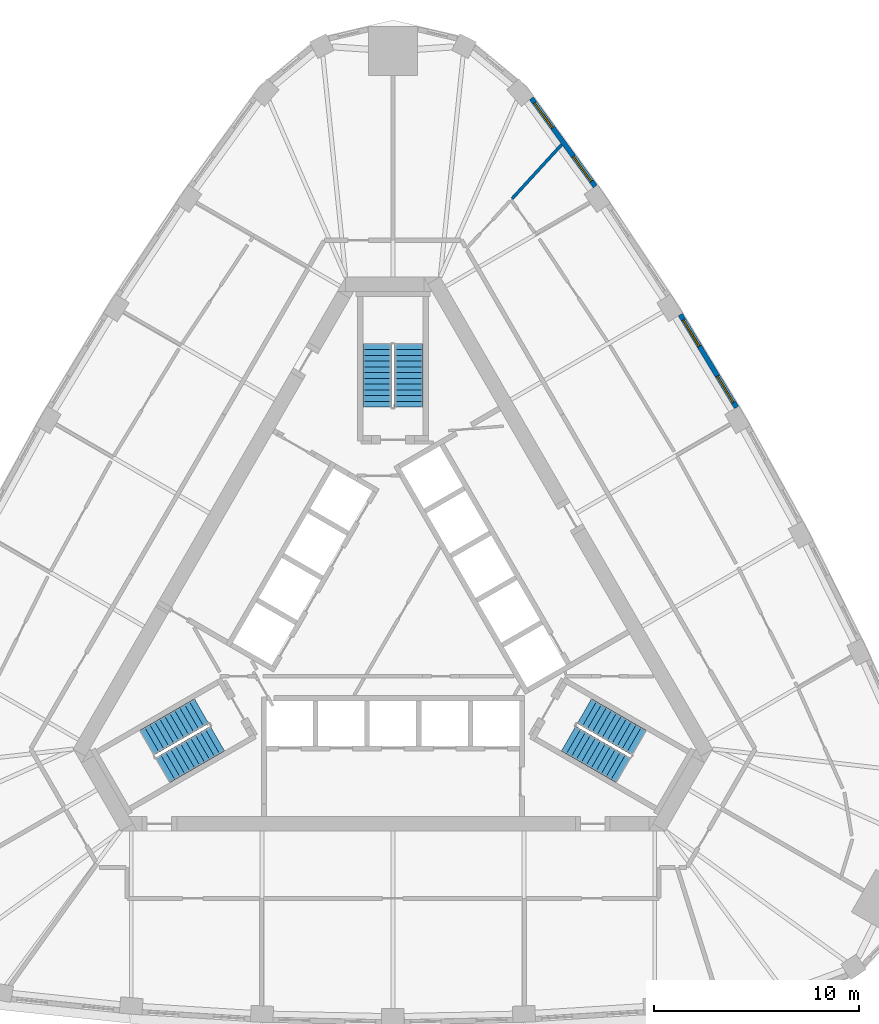
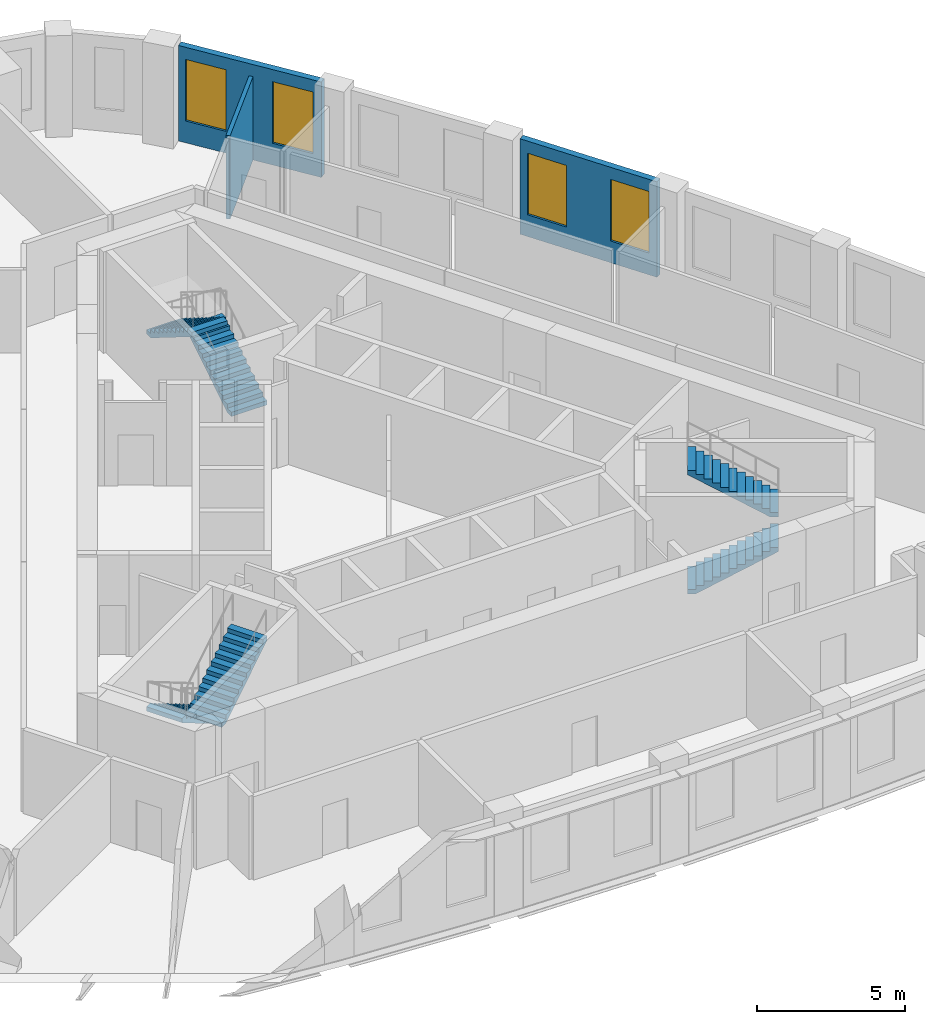
# One storey, part 10 of 11: 6 stair flights, 4 windows, 3 walls, 4 openings, 3 elements without a shape of their own.
"""IFC4 building model written with IfcOpenShell, lengths in metres."""

from ifc_helpers import new_model, si_unit, direction, frame, frame_2d, origin, place, context, subcontext, project, spatial, polyline, rectangle, outline, extrude, material, layer, layer_set, type_object, element, fill, aggregate, save


model = new_model("IFC4")

# Units and contexts
model_context = context("Model", 3, precision=1e-05, world=origin(), true_north=direction((0.0, 1.0)))
body_context = subcontext(model_context, "Body", "Model", "MODEL_VIEW")
ifc_project = project(units=[si_unit("LENGTHUNIT", "METRE"), si_unit("AREAUNIT", "SQUARE_METRE"), si_unit("VOLUMEUNIT", "CUBIC_METRE"), si_unit("PLANEANGLEUNIT", "RADIAN"), si_unit("MASSUNIT", "GRAM", prefix="KILO")], contexts=[model_context])

# Site, building, storey
site_placement = place(None, origin())
site = spatial("IfcSite", under=ifc_project, at=site_placement, CompositionType="ELEMENT")
building_placement = place(site_placement, origin())
building = spatial("IfcBuilding", under=site, at=building_placement, Name="Mestral Congress Tower", CompositionType="ELEMENT")
storey_placement = place(building_placement, frame((0.0, 0.0, 205.800048828125)))
storey = spatial("IfcBuildingStorey", under=building, at=storey_placement, Name="L48", CompositionType="ELEMENT", Elevation=205.800048828125)

# Wall, openings, windows
ifc_material_1 = material(Name="Precast concrete C40/50 with limestone facing", Category="masonry")
ifc_layer_1 = layer(ifc_material_1, 0.239990234375)
ifc_layer_set_1 = layer_set([ifc_layer_1], Name="Precast concrete C40/50 with limestone facing")
wall_type_1 = type_object("IfcWallType", Name="Facade stone wall 240", PredefinedType="SOLIDWALL", material=ifc_layer_set_1)
wall_1_placement = place(storey_placement, frame((16.78173828125, 10.331298828125, 0.0), z_axis=(0.0, 0.0, 1.0), x_axis=(-0.517846166225, 0.855473756538, 0.0)))
wall_1 = element("IfcWall", 1, at=wall_1_placement, inside=storey, type_object=wall_type_1, Name="Facade wall F1-03", PredefinedType="SOLIDWALL", context=body_context, shape_type="SweptSolid", body=[
    extrude(rectangle(XDim=5.298095703125, YDim=0.239990234375, at=frame_2d((2.64892578125, 0.0))), origin(), (0.0, 0.0, 1.0), 3.949951171875),
])
opening_1_placement = place(wall_1_placement, frame((0.29443359375, 0.0, 0.89990234375)))
opening_1 = element("IfcOpeningElement", 2, at=opening_1_placement, cuts=wall_1, Name="Opening W4", PredefinedType="OPENING", context=body_context, shape_type="SweptSolid", body=[
    extrude(rectangle(XDim=1.5, YDim=2.550048828125, at=frame_2d((0.75, 1.27490234375))), frame((0.0, 0.1298828125, 0.0), z_axis=(0.0, -1.0, 0.0), x_axis=(1.0, 0.0, 0.0)), (0.0, 0.0, 1.0), 0.260009765625),
])
opening_2_placement = place(wall_1_placement, frame((3.503662109375, 0.0, 0.89990234375)))
opening_2 = element("IfcOpeningElement", 3, at=opening_2_placement, cuts=wall_1, Name="Opening W4", PredefinedType="OPENING", context=body_context, shape_type="SweptSolid", body=[
    extrude(rectangle(XDim=1.5, YDim=2.550048828125, at=frame_2d((0.75, 1.27490234375))), frame((0.0, 0.1298828125, 0.0), z_axis=(0.0, -1.0, 0.0), x_axis=(1.0, 0.0, 0.0)), (0.0, 0.0, 1.0), 0.260009765625),
])
ifc_material_2 = material(Name="Clear low-emissivity double glazing", Category="glass")
window_type = type_object("IfcWindowType", Name="Facade punched window 1500 x 2550 sill 900", PartitioningType="SINGLE_PANEL", PredefinedType="WINDOW", material=ifc_material_2)
window_1_placement = place(opening_1_placement, origin())
window_1 = element("IfcWindow", 4, at=window_1_placement, inside=storey, type_object=window_type, Name="Window F1-03a", OverallHeight=2.550048828125, OverallWidth=1.5, PartitioningType="SINGLE_PANEL", PredefinedType="WINDOW", context=body_context, shape_type="SweptSolid", body=[
    extrude(rectangle(XDim=1.5, YDim=2.550048828125, at=frame_2d((0.75, 1.27490234375))), frame((0.0, 0.0400390625, 0.0), z_axis=(0.0, -1.0, 0.0), x_axis=(1.0, 0.0, 0.0)), (0.0, 0.0, 1.0), 0.06005859375),
])
fill(opening_1, window_1)
window_2_placement = place(opening_2_placement, origin())
window_2 = element("IfcWindow", 5, at=window_2_placement, inside=storey, type_object=window_type, Name="Window F1-03b", OverallHeight=2.550048828125, OverallWidth=1.5, PartitioningType="SINGLE_PANEL", PredefinedType="WINDOW", context=body_context, shape_type="SweptSolid", body=[
    extrude(rectangle(XDim=1.5, YDim=2.550048828125, at=frame_2d((0.75, 1.27490234375))), frame((0.0, 0.0400390625, 0.0), z_axis=(0.0, -1.0, 0.0), x_axis=(1.0, 0.0, 0.0)), (0.0, 0.0, 1.0), 0.06005859375),
])
fill(opening_2, window_2)

wall_2_placement = place(storey_placement, frame((9.87841796875, 21.13232421875, 0.0), z_axis=(0.0, 0.0, 1.0), x_axis=(-0.586998456641, 0.80958805074, 0.0)))
wall_2 = element("IfcWall", 6, at=wall_2_placement, inside=storey, type_object=wall_type_1, Name="Facade wall F1-05", PredefinedType="SOLIDWALL", context=body_context, shape_type="SweptSolid", body=[
    extrude(rectangle(XDim=5.310791015625, YDim=0.239990234375, at=frame_2d((2.6552734375, 0.0))), origin(), (0.0, 0.0, 1.0), 3.949951171875),
])
opening_3_placement = place(wall_2_placement, frame((0.306396484375, 0.0, 0.89990234375)))
opening_3 = element("IfcOpeningElement", 7, at=opening_3_placement, cuts=wall_2, Name="Opening W4", PredefinedType="OPENING", context=body_context, shape_type="SweptSolid", body=[
    extrude(rectangle(XDim=1.5, YDim=2.550048828125, at=frame_2d((0.75, 1.27490234375))), frame((0.0, 0.1298828125, 0.0), z_axis=(0.0, -1.0, 0.0), x_axis=(1.0, 0.0, 0.0)), (0.0, 0.0, 1.0), 0.260009765625),
])
opening_4_placement = place(wall_2_placement, frame((3.539306640625, 0.0, 0.89990234375)))
opening_4 = element("IfcOpeningElement", 8, at=opening_4_placement, cuts=wall_2, Name="Opening W4", PredefinedType="OPENING", context=body_context, shape_type="SweptSolid", body=[
    extrude(rectangle(XDim=1.5, YDim=2.550048828125, at=frame_2d((0.75, 1.27490234375))), frame((0.0, 0.1298828125, 0.0), z_axis=(0.0, -1.0, 0.0), x_axis=(1.0, 0.0, 0.0)), (0.0, 0.0, 1.0), 0.260009765625),
])
window_3_placement = place(opening_3_placement, origin())
window_3 = element("IfcWindow", 9, at=window_3_placement, inside=storey, type_object=window_type, Name="Window F1-05a", OverallHeight=2.550048828125, OverallWidth=1.5, PartitioningType="SINGLE_PANEL", PredefinedType="WINDOW", context=body_context, shape_type="SweptSolid", body=[
    extrude(rectangle(XDim=1.5, YDim=2.550048828125, at=frame_2d((0.75, 1.27490234375))), frame((0.0, 0.0400390625, 0.0), z_axis=(0.0, -1.0, 0.0), x_axis=(1.0, 0.0, 0.0)), (0.0, 0.0, 1.0), 0.06005859375),
])
fill(opening_3, window_3)
window_4_placement = place(opening_4_placement, origin())
window_4 = element("IfcWindow", 10, at=window_4_placement, inside=storey, type_object=window_type, Name="Window F1-05b", OverallHeight=2.550048828125, OverallWidth=1.5, PartitioningType="SINGLE_PANEL", PredefinedType="WINDOW", context=body_context, shape_type="SweptSolid", body=[
    extrude(rectangle(XDim=1.5, YDim=2.550048828125, at=frame_2d((0.75, 1.27490234375))), frame((0.0, 0.0400390625, 0.0), z_axis=(0.0, -1.0, 0.0), x_axis=(1.0, 0.0, 0.0)), (0.0, 0.0, 1.0), 0.06005859375),
])
fill(opening_4, window_4)

# Wall
ifc_material_3 = material(Name="Plasterboard partition on steel studs", Category="steel")
ifc_layer_2 = layer(ifc_material_3, 0.14990234375)
ifc_layer_set_2 = layer_set([ifc_layer_2], Name="Plasterboard partition on steel studs")
wall_type_2 = type_object("IfcWallType", Name="Office partition 150", PredefinedType="PARTITIONING", material=ifc_layer_set_2)
wall_3_placement = place(storey_placement, frame((5.81591796875, 20.525634765625, 0.0), z_axis=(0.0, 0.0, 1.0), x_axis=(0.675700046709, 0.737176672771, 0.0)))
element("IfcWall", 11, at=wall_3_placement, inside=storey, type_object=wall_type_2, Name="Partition", PredefinedType="PARTITIONING", context=body_context, shape_type="SweptSolid", body=[
    extrude(rectangle(XDim=3.597900390625, YDim=0.14990234375, at=frame_2d((1.798828125, 0.0))), origin(), (0.0, 0.0, 1.0), 3.449951171875),
])

# Stair, stair flights
ifc_material_4 = material(Name="Concrete C60/75", Category="concrete")
stair_type = type_object("IfcStairType", Name="Exit stair 1400", PredefinedType="HALF_TURN_STAIR", material=ifc_material_4)
placement = place(storey_placement, origin())
stair_1 = element("IfcStair", 12, at=placement, inside=storey, type_object=stair_type, Name="L48 ST1", PredefinedType="HALF_TURN_STAIR")
stair_flight_type = type_object("IfcStairFlightType", Name="Exit stair flight 1400", PredefinedType="STRAIGHT", material=ifc_material_4)
stair_flight_1_placement = place(storey_placement, frame((8.575927734375, -5.84619140625, 0.0), z_axis=(0.0, 0.0, 1.0), x_axis=(0.866025403784, -0.5, 0.0)))
stair_flight_1 = element("IfcStairFlight", 13, at=stair_flight_1_placement, type_object=stair_flight_type, Name="ST1 flight 1", NumberOfRisers=12, NumberOfTreads=11, PredefinedType="STRAIGHT", RiserHeight=0.175, TreadLength=0.28, context=body_context, shape_type="SweptSolid", body=[
    extrude(outline(polyline([(0.0, 0.0), (0.0, 0.175048828125), (0.280029296875, 0.175048828125), (0.280029296875, 0.35009765625), (0.56005859375, 0.35009765625), (0.56005859375, 0.52490234375), (0.840087890625, 0.52490234375), (0.840087890625, 0.699951171875), (1.1201171875, 0.699951171875), (1.1201171875, 0.875), (1.39990234375, 0.875), (1.39990234375, 1.050048828125), (1.679931640625, 1.050048828125), (1.679931640625, 1.22509765625), (1.9599609375, 1.22509765625), (1.9599609375, 1.39990234375), (2.239990234375, 1.39990234375), (2.239990234375, 1.574951171875), (2.52001953125, 1.574951171875), (2.52001953125, 1.75), (2.800048828125, 1.75), (2.800048828125, 1.925048828125), (3.080078125, 1.925048828125), (3.080078125, 2.10009765625), (3.080078125, 1.748291015625), (0.28271484375, 0.0), (0.0, 0.0)])), frame((0.0, 0.699951171875, 0.0), z_axis=(0.0, -1.0, 0.0), x_axis=(1.0, 0.0, 0.0)), (0.0, 0.0, 1.0), 1.39990234375),
])
stair_flight_2_placement = place(storey_placement, frame((12.018310546875, -6.0439453125, 2.099853515625), z_axis=(0.0, 0.0, 1.0), x_axis=(-0.866025403784, 0.5, 0.0)))
stair_flight_2 = element("IfcStairFlight", 14, at=stair_flight_2_placement, type_object=stair_flight_type, Name="ST1 flight 2", NumberOfRisers=12, NumberOfTreads=11, PredefinedType="STRAIGHT", RiserHeight=0.175, TreadLength=0.28, context=body_context, shape_type="SweptSolid", body=[
    extrude(outline(polyline([(0.0, 0.0), (0.0, 0.175048828125), (0.280029296875, 0.175048828125), (0.280029296875, 0.35009765625), (0.56005859375, 0.35009765625), (0.56005859375, 0.52490234375), (0.840087890625, 0.52490234375), (0.840087890625, 0.699951171875), (1.1201171875, 0.699951171875), (1.1201171875, 0.875), (1.39990234375, 0.875), (1.39990234375, 1.050048828125), (1.679931640625, 1.050048828125), (1.679931640625, 1.22509765625), (1.9599609375, 1.22509765625), (1.9599609375, 1.39990234375), (2.239990234375, 1.39990234375), (2.239990234375, 1.574951171875), (2.52001953125, 1.574951171875), (2.52001953125, 1.75), (2.800048828125, 1.75), (2.800048828125, 1.925048828125), (3.080078125, 1.925048828125), (3.080078125, 2.10009765625), (3.080078125, 1.748291015625), (0.28271484375, 0.0), (0.0, 0.0)])), frame((0.0, 0.699951171875, 0.0), z_axis=(0.0, -1.0, 0.0), x_axis=(1.0, 0.0, 0.0)), (0.0, 0.0, 1.0), 1.39990234375),
])
aggregate(stair_1, [stair_flight_1, stair_flight_2])

stair_2 = element("IfcStair", 15, at=placement, inside=storey, type_object=stair_type, Name="L48 ST2", PredefinedType="HALF_TURN_STAIR")
stair_flight_3_placement = place(storey_placement, frame((0.77490234375, 10.35009765625, 0.0), z_axis=(0.0, 0.0, 1.0), x_axis=(0.0, 1.0, 0.0)))
stair_flight_3 = element("IfcStairFlight", 16, at=stair_flight_3_placement, type_object=stair_flight_type, Name="ST2 flight 1", NumberOfRisers=12, NumberOfTreads=11, PredefinedType="STRAIGHT", RiserHeight=0.175, TreadLength=0.28, context=body_context, shape_type="SweptSolid", body=[
    extrude(outline(polyline([(0.0, 0.0), (0.0, 0.175048828125), (0.280029296875, 0.175048828125), (0.280029296875, 0.35009765625), (0.56005859375, 0.35009765625), (0.56005859375, 0.52490234375), (0.840087890625, 0.52490234375), (0.840087890625, 0.699951171875), (1.1201171875, 0.699951171875), (1.1201171875, 0.875), (1.39990234375, 0.875), (1.39990234375, 1.050048828125), (1.679931640625, 1.050048828125), (1.679931640625, 1.22509765625), (1.9599609375, 1.22509765625), (1.9599609375, 1.39990234375), (2.239990234375, 1.39990234375), (2.239990234375, 1.574951171875), (2.52001953125, 1.574951171875), (2.52001953125, 1.75), (2.800048828125, 1.75), (2.800048828125, 1.925048828125), (3.080078125, 1.925048828125), (3.080078125, 2.10009765625), (3.080078125, 1.748291015625), (0.28271484375, 0.0), (0.0, 0.0)])), frame((0.0, 0.699951171875, 0.0), z_axis=(0.0, -1.0, 0.0), x_axis=(1.0, 0.0, 0.0)), (0.0, 0.0, 1.0), 1.39990234375),
])
stair_flight_4_placement = place(storey_placement, frame((-0.77490234375, 13.429931640625, 2.099853515625), z_axis=(0.0, 0.0, 1.0), x_axis=(0.0, -1.0, 0.0)))
stair_flight_4 = element("IfcStairFlight", 17, at=stair_flight_4_placement, type_object=stair_flight_type, Name="ST2 flight 2", NumberOfRisers=12, NumberOfTreads=11, PredefinedType="STRAIGHT", RiserHeight=0.175, TreadLength=0.28, context=body_context, shape_type="SweptSolid", body=[
    extrude(outline(polyline([(0.0, 0.0), (0.0, 0.175048828125), (0.280029296875, 0.175048828125), (0.280029296875, 0.35009765625), (0.56005859375, 0.35009765625), (0.56005859375, 0.52490234375), (0.840087890625, 0.52490234375), (0.840087890625, 0.699951171875), (1.1201171875, 0.699951171875), (1.1201171875, 0.875), (1.39990234375, 0.875), (1.39990234375, 1.050048828125), (1.679931640625, 1.050048828125), (1.679931640625, 1.22509765625), (1.9599609375, 1.22509765625), (1.9599609375, 1.39990234375), (2.239990234375, 1.39990234375), (2.239990234375, 1.574951171875), (2.52001953125, 1.574951171875), (2.52001953125, 1.75), (2.800048828125, 1.75), (2.800048828125, 1.925048828125), (3.080078125, 1.925048828125), (3.080078125, 2.10009765625), (3.080078125, 1.748291015625), (0.28271484375, 0.0), (0.0, 0.0)])), frame((0.0, 0.699951171875, 0.0), z_axis=(0.0, -1.0, 0.0), x_axis=(1.0, 0.0, 0.0)), (0.0, 0.0, 1.0), 1.39990234375),
])
aggregate(stair_2, [stair_flight_3, stair_flight_4])

stair_3 = element("IfcStair", 18, at=placement, inside=storey, type_object=stair_type, Name="L48 ST3", PredefinedType="HALF_TURN_STAIR")
stair_flight_5_placement = place(storey_placement, frame((-9.350830078125, -4.50390625, 0.0), z_axis=(0.0, 0.0, 1.0), x_axis=(-0.866025403784, -0.5, 0.0)))
stair_flight_5 = element("IfcStairFlight", 19, at=stair_flight_5_placement, type_object=stair_flight_type, Name="ST3 flight 1", NumberOfRisers=12, NumberOfTreads=11, PredefinedType="STRAIGHT", RiserHeight=0.175, TreadLength=0.28, context=body_context, shape_type="SweptSolid", body=[
    extrude(outline(polyline([(0.0, 0.0), (0.0, 0.175048828125), (0.280029296875, 0.175048828125), (0.280029296875, 0.35009765625), (0.56005859375, 0.35009765625), (0.56005859375, 0.52490234375), (0.840087890625, 0.52490234375), (0.840087890625, 0.699951171875), (1.1201171875, 0.699951171875), (1.1201171875, 0.875), (1.39990234375, 0.875), (1.39990234375, 1.050048828125), (1.679931640625, 1.050048828125), (1.679931640625, 1.22509765625), (1.9599609375, 1.22509765625), (1.9599609375, 1.39990234375), (2.239990234375, 1.39990234375), (2.239990234375, 1.574951171875), (2.52001953125, 1.574951171875), (2.52001953125, 1.75), (2.800048828125, 1.75), (2.800048828125, 1.925048828125), (3.080078125, 1.925048828125), (3.080078125, 2.10009765625), (3.080078125, 1.748291015625), (0.28271484375, 0.0), (0.0, 0.0)])), frame((0.0, 0.699951171875, 0.0), z_axis=(0.0, -1.0, 0.0), x_axis=(1.0, 0.0, 0.0)), (0.0, 0.0, 1.0), 1.39990234375),
])
stair_flight_6_placement = place(storey_placement, frame((-11.2431640625, -7.38623046875, 2.099853515625), z_axis=(0.0, 0.0, 1.0), x_axis=(0.866025403784, 0.5, 0.0)))
stair_flight_6 = element("IfcStairFlight", 20, at=stair_flight_6_placement, type_object=stair_flight_type, Name="ST3 flight 2", NumberOfRisers=12, NumberOfTreads=11, PredefinedType="STRAIGHT", RiserHeight=0.175, TreadLength=0.28, context=body_context, shape_type="SweptSolid", body=[
    extrude(outline(polyline([(0.0, 0.0), (0.0, 0.175048828125), (0.280029296875, 0.175048828125), (0.280029296875, 0.35009765625), (0.56005859375, 0.35009765625), (0.56005859375, 0.52490234375), (0.840087890625, 0.52490234375), (0.840087890625, 0.699951171875), (1.1201171875, 0.699951171875), (1.1201171875, 0.875), (1.39990234375, 0.875), (1.39990234375, 1.050048828125), (1.679931640625, 1.050048828125), (1.679931640625, 1.22509765625), (1.9599609375, 1.22509765625), (1.9599609375, 1.39990234375), (2.239990234375, 1.39990234375), (2.239990234375, 1.574951171875), (2.52001953125, 1.574951171875), (2.52001953125, 1.75), (2.800048828125, 1.75), (2.800048828125, 1.925048828125), (3.080078125, 1.925048828125), (3.080078125, 2.10009765625), (3.080078125, 1.748291015625), (0.28271484375, 0.0), (0.0, 0.0)])), frame((0.0, 0.699951171875, 0.0), z_axis=(0.0, -1.0, 0.0), x_axis=(1.0, 0.0, 0.0)), (0.0, 0.0, 1.0), 1.39990234375),
])
aggregate(stair_3, [stair_flight_5, stair_flight_6])

save(model, "model.ifc")
